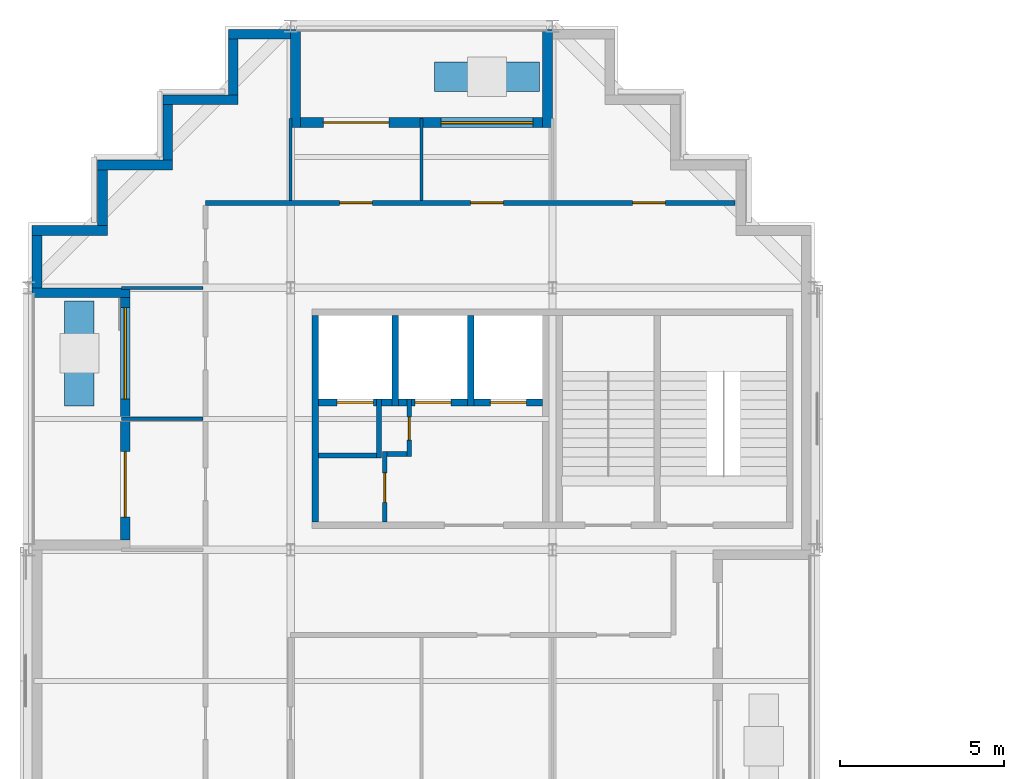
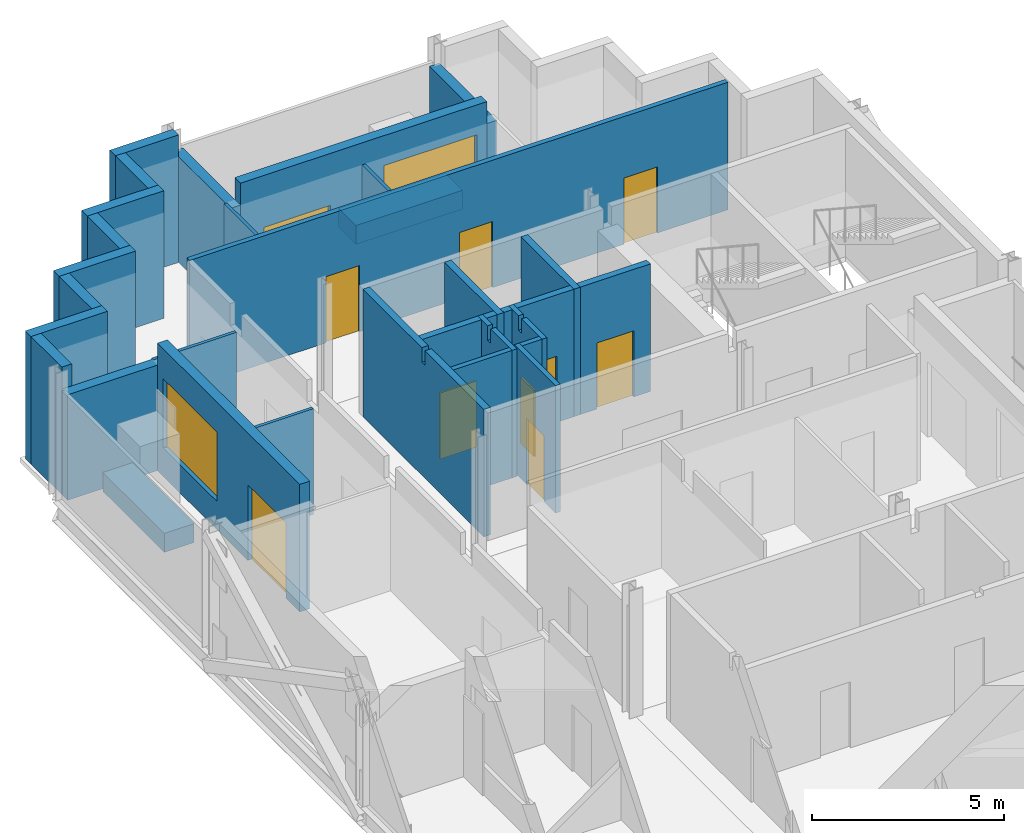
# One storey, part 8 of 13: 33 walls, 10 doors, 2 windows, 12 openings.
"""IFC4 building model written with IfcOpenShell, lengths in metres."""

from ifc_helpers import new_model, si_unit, direction, frame, frame_2d, origin, place, context, subcontext, project, spatial, polyline, rectangle, outline, extrude, material, layer, layer_set, type_object, element, fill, save


model = new_model("IFC4")

# Units and contexts
model_context = context("Model", 3, precision=1e-05, world=origin(), true_north=direction((0.0, 1.0)))
body_context = subcontext(model_context, "Body", "Model", "MODEL_VIEW")
ifc_project = project(units=[si_unit("LENGTHUNIT", "METRE"), si_unit("AREAUNIT", "SQUARE_METRE"), si_unit("VOLUMEUNIT", "CUBIC_METRE"), si_unit("PLANEANGLEUNIT", "RADIAN"), si_unit("MASSUNIT", "GRAM", prefix="KILO")], contexts=[model_context])

# Site, building, storey
site_placement = place(None, origin())
site = spatial("IfcSite", under=ifc_project, at=site_placement, CompositionType="ELEMENT")
building_placement = place(site_placement, origin())
building = spatial("IfcBuilding", under=site, at=building_placement, Name="Immortelle Media Tower", CompositionType="ELEMENT")
storey_placement = place(building_placement, frame((0.0, 0.0, 174.60009765625)))
storey = spatial("IfcBuildingStorey", under=building, at=storey_placement, Name="L36", CompositionType="ELEMENT", Elevation=174.60009765625)

# Walls
ifc_material_1 = material(Name="Fire-rated gypsum board", Category="gypsum")
ifc_layer_1 = layer(ifc_material_1, 0.02490234375)
ifc_material_2 = material(Name="Steel ASTM A653 SS Gr 50 stud frame with mineral wool", Category="steel")
ifc_layer_2 = layer(ifc_material_2, 0.10009765625)
ifc_layer_3 = layer(ifc_material_1, 0.02490234375)
ifc_layer_set_1 = layer_set([ifc_layer_1, ifc_layer_2, ifc_layer_3], Name="Steel ASTM A653 SS Gr 50 stud frame with mineral wool")
wall_type_1 = type_object("IfcWallType", Name="Core partition 150", PredefinedType="PARTITIONING", material=ifc_layer_set_1)
wall_1_placement = place(storey_placement, frame((8.85009765625, 34.875, 0.0), z_axis=(0.0, 0.0, 1.0), x_axis=(1.0, 0.0, 0.0)))
element("IfcWall", 1, at=wall_1_placement, inside=storey, type_object=wall_type_1, Name="Core partition NW", PredefinedType="PARTITIONING", context=body_context, shape_type="SweptSolid", body=[
    extrude(rectangle(XDim=1.77490234375, YDim=0.14990234375, at=frame_2d((0.887451171875, 0.0))), origin(), (0.0, 0.0, 1.0), 4.0498046875),
])
wall_2_placement = place(storey_placement, frame((10.699951171875, 34.800048828125, 0.0), z_axis=(0.0, 0.0, 1.0), x_axis=(0.0, 1.0, 0.0)))
element("IfcWall", 2, at=wall_2_placement, inside=storey, type_object=wall_type_1, Name="Core partition NW", PredefinedType="PARTITIONING", context=body_context, shape_type="SweptSolid", body=[
    extrude(outline(polyline([(0.0, 0.0), (1.800048828125, 0.0), (1.800048828125, 4.0498046875), (1.281494140625, 4.0498046875), (1.280517578125, 3.5888671875), (1.119384765625, 3.5888671875), (1.118408203125, 4.0498046875), (0.0, 4.0498046875), (0.0, 0.0)])), frame((0.0, 0.074951171875, 0.0), z_axis=(0.0, -1.0, 0.0), x_axis=(1.0, 0.0, 0.0)), (0.0, 0.0, 1.0), 0.14990234375),
])

# Wall, opening, door
wall_3_placement = place(storey_placement, frame((10.875, 32.85009765625, 0.0), z_axis=(0.0, 0.0, 1.0), x_axis=(0.0, 1.0, 0.0)))
wall_3 = element("IfcWall", 3, at=wall_3_placement, inside=storey, type_object=wall_type_1, Name="Core partition NW", PredefinedType="PARTITIONING", context=body_context, shape_type="SweptSolid", body=[
    extrude(rectangle(XDim=2.14990234375, YDim=0.14990234375, at=frame_2d((1.074951171875, 0.0))), origin(), (0.0, 0.0, 1.0), 4.0498046875),
])
opening_1_placement = place(wall_3_placement, frame((0.60009765625, 0.0, 0.0)))
opening_1 = element("IfcOpeningElement", 4, at=opening_1_placement, cuts=wall_3, Name="Opening C6-K023", PredefinedType="OPENING", context=body_context, shape_type="SweptSolid", body=[
    extrude(rectangle(XDim=0.89990234375, YDim=2.10009765625, at=frame_2d((0.449951171875, 1.050048828125))), frame((0.0, 0.0849609375, 0.0), z_axis=(0.0, -1.0, 0.0), x_axis=(1.0, 0.0, 0.0)), (0.0, 0.0, 1.0), 0.169921875),
])
ifc_material_3 = material(Name="Galvanised steel door leaf and frame ASTM A653", Category="steel")
door_type_1 = type_object("IfcDoorType", Name="Service door 900 x 2100", OperationType="NOTDEFINED", PredefinedType="NOTDEFINED", material=ifc_material_3)
door_1_placement = place(opening_1_placement, origin())
door_1 = element("IfcDoor", 5, at=door_1_placement, inside=storey, type_object=door_type_1, Name="Service C6-K023", OperationType="SINGLE_SWING_RIGHT", OverallHeight=2.10009765625, OverallWidth=0.89990234375, PredefinedType="NOTDEFINED", context=body_context, shape_type="SweptSolid", body=[
    extrude(rectangle(XDim=0.89990234375, YDim=2.10009765625, at=frame_2d((0.449951171875, 1.050048828125))), frame((0.0, 0.02490234375, 0.0), z_axis=(0.0, -1.0, 0.0), x_axis=(1.0, 0.0, 0.0)), (0.0, 0.0, 1.0), 0.050048828125),
])
fill(opening_1, door_1)

# Wall
wall_4_placement = place(storey_placement, frame((10.949951171875, 34.925048828125, 0.0), z_axis=(0.0, 0.0, 1.0), x_axis=(1.0, 0.0, 0.0)))
element("IfcWall", 6, at=wall_4_placement, inside=storey, type_object=wall_type_1, Name="Core partition NW", PredefinedType="PARTITIONING", context=body_context, shape_type="SweptSolid", body=[
    extrude(rectangle(XDim=0.60009765625, YDim=0.14990234375, at=frame_2d((0.300048828125, 0.0))), origin(), (0.0, 0.0, 1.0), 4.0498046875),
])

# Wall, opening, door
wall_5_placement = place(storey_placement, frame((11.625, 34.85009765625, 0.0), z_axis=(0.0, 0.0, 1.0), x_axis=(0.0, 1.0, 0.0)))
wall_5 = element("IfcWall", 7, at=wall_5_placement, inside=storey, type_object=wall_type_1, Name="Core partition NW", PredefinedType="PARTITIONING", context=body_context, shape_type="SweptSolid", body=[
    extrude(outline(polyline([(0.0, 0.0), (1.75, 0.0), (1.75, 4.0498046875), (1.2314453125, 4.0498046875), (1.23046875, 3.5888671875), (1.069580078125, 3.5888671875), (1.068603515625, 4.0498046875), (0.0, 4.0498046875), (0.0, 0.0)])), frame((0.0, 0.074951171875, 0.0), z_axis=(0.0, -1.0, 0.0), x_axis=(1.0, 0.0, 0.0)), (0.0, 0.0, 1.0), 0.14990234375),
])
opening_2_placement = place(wall_5_placement, frame((0.5, 0.0, 0.0)))
opening_2 = element("IfcOpeningElement", 8, at=opening_2_placement, cuts=wall_5, Name="Opening C6-K024", PredefinedType="OPENING", context=body_context, shape_type="SweptSolid", body=[
    extrude(rectangle(XDim=0.699951171875, YDim=2.10009765625, at=frame_2d((0.35009765625, 1.050048828125))), frame((0.0, 0.0849609375, 0.0), z_axis=(0.0, -1.0, 0.0), x_axis=(1.0, 0.0, 0.0)), (0.0, 0.0, 1.0), 0.169921875),
])
door_type_2 = type_object("IfcDoorType", Name="Service door 700 x 2100", OperationType="NOTDEFINED", PredefinedType="NOTDEFINED", material=ifc_material_3)
door_2_placement = place(opening_2_placement, origin())
door_2 = element("IfcDoor", 9, at=door_2_placement, inside=storey, type_object=door_type_2, Name="Service C6-K024", OperationType="SINGLE_SWING_LEFT", OverallHeight=2.10009765625, OverallWidth=0.699951171875, PredefinedType="NOTDEFINED", context=body_context, shape_type="SweptSolid", body=[
    extrude(rectangle(XDim=0.699951171875, YDim=2.10009765625, at=frame_2d((0.35009765625, 1.050048828125))), frame((0.0, 0.02490234375, 0.0), z_axis=(0.0, -1.0, 0.0), x_axis=(1.0, 0.0, 0.0)), (0.0, 0.0, 1.0), 0.050048828125),
])
fill(opening_2, door_2)

# Wall
ifc_layer_4 = layer(ifc_material_1, 0.03759765625)
ifc_layer_5 = layer(ifc_material_2, 0.125)
ifc_layer_6 = layer(ifc_material_1, 0.03759765625)
ifc_layer_set_2 = layer_set([ifc_layer_4, ifc_layer_5, ifc_layer_6], Name="Steel ASTM A653 SS Gr 50 stud frame with mineral wool")
wall_type_2 = type_object("IfcWallType", Name="Core shaft wall 200", PredefinedType="PARTITIONING", material=ifc_layer_set_2)
wall_6_placement = place(storey_placement, frame((8.75, 32.85009765625, 0.0), z_axis=(0.0, 0.0, 1.0), x_axis=(0.0, 1.0, 0.0)))
element("IfcWall", 10, at=wall_6_placement, inside=storey, type_object=wall_type_2, Name="Core shaft wall NW", PredefinedType="PARTITIONING", context=body_context, shape_type="SweptSolid", body=[
    extrude(outline(polyline([(0.0, 0.0), (6.2998046875, 0.0), (6.300048828125, 4.0498046875), (3.2314453125, 4.0498046875), (3.23046875, 3.5888671875), (3.069580078125, 3.5888671875), (3.068603515625, 4.0498046875), (0.0, 4.0498046875), (0.0, 0.0)])), frame((0.0, 0.10009765625, 0.0), z_axis=(0.0, -1.0, 0.0), x_axis=(1.0, 0.0, 0.0)), (0.0, 0.0, 1.0), 0.199951171875),
])

# Wall, opening, door
wall_7_placement = place(storey_placement, frame((8.85009765625, 36.5, 0.0), z_axis=(0.0, 0.0, 1.0), x_axis=(1.0, 0.0, 0.0)))
wall_7 = element("IfcWall", 11, at=wall_7_placement, inside=storey, type_object=wall_type_2, Name="Core shaft wall NW", PredefinedType="PARTITIONING", context=body_context, shape_type="SweptSolid", body=[
    extrude(rectangle(XDim=1.77490234375, YDim=0.199951171875, at=frame_2d((0.887451171875, 0.0))), origin(), (0.0, 0.0, 1.0), 4.0498046875),
])
opening_3_placement = place(wall_7_placement, frame((0.574951171875, 0.0, 0.0)))
opening_3 = element("IfcOpeningElement", 12, at=opening_3_placement, cuts=wall_7, Name="Opening LD", PredefinedType="OPENING", context=body_context, shape_type="SweptSolid", body=[
    extrude(rectangle(XDim=1.10009765625, YDim=2.10009765625, at=frame_2d((0.550048828125, 1.050048828125))), frame((0.0, 0.10986328125, 0.0), z_axis=(0.0, -1.0, 0.0), x_axis=(1.0, 0.0, 0.0)), (0.0, 0.0, 1.0), 0.219970703125),
])
ifc_material_4 = material(Name="Stainless steel AISI 304", Category="steel")
door_type_3 = type_object("IfcDoorType", Name="Landing door 1100 x 2100", OperationType="SLIDING_TO_LEFT", PredefinedType="NOTDEFINED", material=ifc_material_4)
door_3_placement = place(opening_3_placement, origin())
door_3 = element("IfcDoor", 13, at=door_3_placement, inside=storey, type_object=door_type_3, Name="Landing door MR1 L36", OperationType="SLIDING_TO_LEFT", OverallHeight=2.10009765625, OverallWidth=1.10009765625, PredefinedType="NOTDEFINED", context=body_context, shape_type="SweptSolid", body=[
    extrude(rectangle(XDim=1.10009765625, YDim=2.10009765625, at=frame_2d((0.550048828125, 1.050048828125))), frame((0.0, 0.02490234375, 0.0), z_axis=(0.0, -1.0, 0.0), x_axis=(1.0, 0.0, 0.0)), (0.0, 0.0, 1.0), 0.050048828125),
])
fill(opening_3, door_3)

# Walls
wall_8_placement = place(storey_placement, frame((10.77490234375, 36.5, 0.0), z_axis=(0.0, 0.0, 1.0), x_axis=(1.0, 0.0, 0.0)))
element("IfcWall", 14, at=wall_8_placement, inside=storey, type_object=wall_type_2, Name="Core shaft wall NW", PredefinedType="PARTITIONING", context=body_context, shape_type="SweptSolid", body=[
    extrude(rectangle(XDim=0.3251953125, YDim=0.199951171875, at=frame_2d((0.16259765625, 0.0))), origin(), (0.0, 0.0, 1.0), 4.0498046875),
])
wall_9_placement = place(storey_placement, frame((11.199951171875, 36.39990234375, 0.0), z_axis=(0.0, 0.0, 1.0), x_axis=(0.0, 1.0, 0.0)))
element("IfcWall", 15, at=wall_9_placement, inside=storey, type_object=wall_type_2, Name="Core shaft wall NW", PredefinedType="PARTITIONING", context=body_context, shape_type="SweptSolid", body=[
    extrude(rectangle(XDim=2.75, YDim=0.199951171875, at=frame_2d((1.375, 0.0))), origin(), (0.0, 0.0, 1.0), 4.0498046875),
])
wall_10_placement = place(storey_placement, frame((11.300048828125, 36.5, 0.0), z_axis=(0.0, 0.0, 1.0), x_axis=(1.0, 0.0, 0.0)))
element("IfcWall", 16, at=wall_10_placement, inside=storey, type_object=wall_type_2, Name="Core shaft wall NW", PredefinedType="PARTITIONING", context=body_context, shape_type="SweptSolid", body=[
    extrude(rectangle(XDim=0.25, YDim=0.199951171875, at=frame_2d((0.125, 0.0))), origin(), (0.0, 0.0, 1.0), 4.0498046875),
])

# Wall, opening, door
wall_11_placement = place(storey_placement, frame((11.699951171875, 36.5, 0.0), z_axis=(0.0, 0.0, 1.0), x_axis=(1.0, 0.0, 0.0)))
wall_11 = element("IfcWall", 17, at=wall_11_placement, inside=storey, type_object=wall_type_2, Name="Core shaft wall NW", PredefinedType="PARTITIONING", context=body_context, shape_type="SweptSolid", body=[
    extrude(rectangle(XDim=1.699951171875, YDim=0.199951171875, at=frame_2d((0.85009765625, 0.0))), origin(), (0.0, 0.0, 1.0), 4.0498046875),
])
opening_4_placement = place(wall_11_placement, frame((0.10009765625, 0.0, 0.0)))
opening_4 = element("IfcOpeningElement", 18, at=opening_4_placement, cuts=wall_11, Name="Opening LD", PredefinedType="OPENING", context=body_context, shape_type="SweptSolid", body=[
    extrude(rectangle(XDim=1.10009765625, YDim=2.10009765625, at=frame_2d((0.550048828125, 1.050048828125))), frame((0.0, 0.10986328125, 0.0), z_axis=(0.0, -1.0, 0.0), x_axis=(1.0, 0.0, 0.0)), (0.0, 0.0, 1.0), 0.219970703125),
])
door_4_placement = place(opening_4_placement, origin())
door_4 = element("IfcDoor", 19, at=door_4_placement, inside=storey, type_object=door_type_3, Name="Landing door MR2 L36", OperationType="SLIDING_TO_LEFT", OverallHeight=2.10009765625, OverallWidth=1.10009765625, PredefinedType="NOTDEFINED", context=body_context, shape_type="SweptSolid", body=[
    extrude(rectangle(XDim=1.10009765625, YDim=2.10009765625, at=frame_2d((0.550048828125, 1.050048828125))), frame((0.0, 0.02490234375, 0.0), z_axis=(0.0, -1.0, 0.0), x_axis=(1.0, 0.0, 0.0)), (0.0, 0.0, 1.0), 0.050048828125),
])
fill(opening_4, door_4)

# Wall
wall_12_placement = place(storey_placement, frame((13.5, 36.39990234375, 0.0), z_axis=(0.0, 0.0, 1.0), x_axis=(0.0, 1.0, 0.0)))
element("IfcWall", 20, at=wall_12_placement, inside=storey, type_object=wall_type_2, Name="Core shaft wall NW", PredefinedType="PARTITIONING", context=body_context, shape_type="SweptSolid", body=[
    extrude(rectangle(XDim=2.75, YDim=0.199951171875, at=frame_2d((1.375, 0.0))), origin(), (0.0, 0.0, 1.0), 4.0498046875),
])

# Wall, opening, door
wall_13_placement = place(storey_placement, frame((13.60009765625, 36.5, 0.0), z_axis=(0.0, 0.0, 1.0), x_axis=(1.0, 0.0, 0.0)))
wall_13 = element("IfcWall", 21, at=wall_13_placement, inside=storey, type_object=wall_type_2, Name="Core shaft wall NW", PredefinedType="PARTITIONING", context=body_context, shape_type="SweptSolid", body=[
    extrude(rectangle(XDim=2.099853515625, YDim=0.199951171875, at=frame_2d((1.0498046875, 0.0))), origin(), (0.0, 0.0, 1.0), 4.0498046875),
])
opening_5_placement = place(wall_13_placement, frame((0.5, 0.0, 0.0)))
opening_5 = element("IfcOpeningElement", 22, at=opening_5_placement, cuts=wall_13, Name="Opening LD", PredefinedType="OPENING", context=body_context, shape_type="SweptSolid", body=[
    extrude(rectangle(XDim=1.10009765625, YDim=2.10009765625, at=frame_2d((0.550048828125, 1.050048828125))), frame((0.0, 0.10986328125, 0.0), z_axis=(0.0, -1.0, 0.0), x_axis=(1.0, 0.0, 0.0)), (0.0, 0.0, 1.0), 0.219970703125),
])
door_5_placement = place(opening_5_placement, origin())
door_5 = element("IfcDoor", 23, at=door_5_placement, inside=storey, type_object=door_type_3, Name="Landing door MR3 L36", OperationType="SLIDING_TO_LEFT", OverallHeight=2.10009765625, OverallWidth=1.10009765625, PredefinedType="NOTDEFINED", context=body_context, shape_type="SweptSolid", body=[
    extrude(rectangle(XDim=1.10009765625, YDim=2.10009765625, at=frame_2d((0.550048828125, 1.050048828125))), frame((0.0, 0.02490234375, 0.0), z_axis=(0.0, -1.0, 0.0), x_axis=(1.0, 0.0, 0.0)), (0.0, 0.0, 1.0), 0.050048828125),
])
fill(opening_5, door_5)

# Wall, openings, doors
ifc_layer_7 = layer(ifc_material_1, 0.012451171875)
ifc_layer_8 = layer(ifc_material_2, 0.125)
ifc_layer_9 = layer(ifc_material_1, 0.012451171875)
ifc_layer_set_3 = layer_set([ifc_layer_7, ifc_layer_8, ifc_layer_9], Name="Steel ASTM A653 SS Gr 50 stud frame with mineral wool")
wall_type_3 = type_object("IfcWallType", Name="Corridor wall 150", PredefinedType="PARTITIONING", material=ifc_layer_set_3)
wall_14_placement = place(storey_placement, frame((5.39990234375, 42.60009765625, 0.0), z_axis=(0.0, 0.0, 1.0), x_axis=(1.0, 0.0, 0.0)))
wall_14 = element("IfcWall", 24, at=wall_14_placement, inside=storey, type_object=wall_type_3, Name="Partition L36-028", PredefinedType="PARTITIONING", context=body_context, shape_type="SweptSolid", body=[
    extrude(rectangle(XDim=16.170166015625, YDim=0.14990234375, at=frame_2d((8.0849609375, 0.0))), origin(), (0.0, 0.0, 1.0), 4.0498046875),
])
opening_6_placement = place(wall_14_placement, frame((4.10009765625, 0.0, 0.0)))
opening_6 = element("IfcOpeningElement", 25, at=opening_6_placement, cuts=wall_14, Name="Opening C6-F020", PredefinedType="OPENING", context=body_context, shape_type="SweptSolid", body=[
    extrude(rectangle(XDim=1.0, YDim=2.10009765625, at=frame_2d((0.5, 1.050048828125))), frame((0.0, 0.0849609375, 0.0), z_axis=(0.0, -1.0, 0.0), x_axis=(1.0, 0.0, 0.0)), (0.0, 0.0, 1.0), 0.169921875),
])
opening_7_placement = place(wall_14_placement, frame((8.10009765625, 0.0, 0.0)))
opening_7 = element("IfcOpeningElement", 26, at=opening_7_placement, cuts=wall_14, Name="Opening C6-F021", PredefinedType="OPENING", context=body_context, shape_type="SweptSolid", body=[
    extrude(rectangle(XDim=1.0, YDim=2.10009765625, at=frame_2d((0.5, 1.050048828125))), frame((0.0, 0.0849609375, 0.0), z_axis=(0.0, -1.0, 0.0), x_axis=(1.0, 0.0, 0.0)), (0.0, 0.0, 1.0), 0.169921875),
])
opening_8_placement = place(wall_14_placement, frame((13.050048828125, 0.0, 0.0)))
opening_8 = element("IfcOpeningElement", 27, at=opening_8_placement, cuts=wall_14, Name="Opening C6-F022", PredefinedType="OPENING", context=body_context, shape_type="SweptSolid", body=[
    extrude(rectangle(XDim=1.0, YDim=2.10009765625, at=frame_2d((0.5, 1.050048828125))), frame((0.0, 0.0849609375, 0.0), z_axis=(0.0, -1.0, 0.0), x_axis=(1.0, 0.0, 0.0)), (0.0, 0.0, 1.0), 0.169921875),
])
ifc_material_5 = material(Name="Timber veneered door leaf, galvanised steel frame ASTM A653", Category="steel")
door_type_4 = type_object("IfcDoorType", Name="Room door 1000 x 2100", OperationType="NOTDEFINED", PredefinedType="DOOR", material=ifc_material_5)
door_6_placement = place(opening_6_placement, origin())
door_6 = element("IfcDoor", 28, at=door_6_placement, inside=storey, type_object=door_type_4, Name="Door C6-F020", OperationType="SINGLE_SWING_RIGHT", OverallHeight=2.10009765625, OverallWidth=1.0, PredefinedType="DOOR", context=body_context, shape_type="SweptSolid", body=[
    extrude(rectangle(XDim=1.0, YDim=2.10009765625, at=frame_2d((0.5, 1.050048828125))), frame((0.0, 0.02490234375, 0.0), z_axis=(0.0, -1.0, 0.0), x_axis=(1.0, 0.0, 0.0)), (0.0, 0.0, 1.0), 0.050048828125),
])
fill(opening_6, door_6)
door_7_placement = place(opening_7_placement, origin())
door_7 = element("IfcDoor", 29, at=door_7_placement, inside=storey, type_object=door_type_4, Name="Door C6-F021", OperationType="SINGLE_SWING_LEFT", OverallHeight=2.10009765625, OverallWidth=1.0, PredefinedType="DOOR", context=body_context, shape_type="SweptSolid", body=[
    extrude(rectangle(XDim=1.0, YDim=2.10009765625, at=frame_2d((0.5, 1.050048828125))), frame((0.0, 0.02490234375, 0.0), z_axis=(0.0, -1.0, 0.0), x_axis=(1.0, 0.0, 0.0)), (0.0, 0.0, 1.0), 0.050048828125),
])
fill(opening_7, door_7)
door_8_placement = place(opening_8_placement, origin())
door_8 = element("IfcDoor", 30, at=door_8_placement, inside=storey, type_object=door_type_4, Name="Door C6-F022", OperationType="SINGLE_SWING_RIGHT", OverallHeight=2.10009765625, OverallWidth=1.0, PredefinedType="DOOR", context=body_context, shape_type="SweptSolid", body=[
    extrude(rectangle(XDim=1.0, YDim=2.10009765625, at=frame_2d((0.5, 1.050048828125))), frame((0.0, 0.02490234375, 0.0), z_axis=(0.0, -1.0, 0.0), x_axis=(1.0, 0.0, 0.0)), (0.0, 0.0, 1.0), 0.050048828125),
])
fill(opening_8, door_8)

# Wall, openings, door, window
ifc_material_6 = material(Name="Pale aluminium cladding panel", Category="aluminium")
ifc_layer_10 = layer(ifc_material_6, 0.030029296875)
ifc_layer_11 = layer(ifc_material_2, 0.257568359375)
ifc_material_7 = material(Name="Moisture-resistant gypsum board", Category="gypsum")
ifc_layer_12 = layer(ifc_material_7, 0.012451171875)
ifc_layer_set_4 = layer_set([ifc_layer_10, ifc_layer_11, ifc_layer_12], Name="Steel ASTM A653 SS Gr 50 stud frame with mineral wool")
wall_type_4 = type_object("IfcWallType", Name="Facade wall 300", PredefinedType="SOLIDWALL", material=ifc_layer_set_4)
wall_15_placement = place(storey_placement, frame((15.699951171875, 45.050048828125, 0.0), z_axis=(0.0, 0.0, 1.0), x_axis=(-1.0, 0.0, 0.0)))
wall_15 = element("IfcWall", 31, at=wall_15_placement, inside=storey, type_object=wall_type_4, Name="Loggia wall L36 N28", PredefinedType="SOLIDWALL", context=body_context, shape_type="SweptSolid", body=[
    extrude(rectangle(XDim=7.39990234375, YDim=0.300048828125, at=frame_2d((3.699951171875, 0.0))), origin(), (0.0, 0.0, 1.0), 4.0498046875),
])
opening_9_placement = place(wall_15_placement, frame((0.300048828125, 0.0, 0.89990234375)))
opening_9 = element("IfcOpeningElement", 32, at=opening_9_placement, cuts=wall_15, Name="Opening W1", PredefinedType="OPENING", context=body_context, shape_type="SweptSolid", body=[
    extrude(rectangle(XDim=2.800048828125, YDim=2.199951171875, at=frame_2d((1.39990234375, 1.10009765625))), frame((0.0, 0.159912109375, 0.0), z_axis=(0.0, -1.0, 0.0), x_axis=(1.0, 0.0, 0.0)), (0.0, 0.0, 1.0), 0.320068359375),
])
opening_10_placement = place(wall_15_placement, frame((4.699951171875, 0.0, 0.0)))
opening_10 = element("IfcOpeningElement", 33, at=opening_10_placement, cuts=wall_15, Name="Opening C6-E006", PredefinedType="OPENING", context=body_context, shape_type="SweptSolid", body=[
    extrude(rectangle(XDim=2.0, YDim=2.39990234375, at=frame_2d((1.0, 1.199951171875))), frame((0.0, 0.159912109375, 0.0), z_axis=(0.0, -1.0, 0.0), x_axis=(1.0, 0.0, 0.0)), (0.0, 0.0, 1.0), 0.320068359375),
])
ifc_material_8 = material(Name="Aluminium frame, glazed leaves", Category="aluminium")
door_type_5 = type_object("IfcDoorType", Name="Loggia door 2000 x 2400", OperationType="DOUBLE_DOOR_SINGLE_SWING", PredefinedType="DOOR", material=ifc_material_8)
door_9_placement = place(opening_10_placement, origin())
door_9 = element("IfcDoor", 34, at=door_9_placement, inside=storey, type_object=door_type_5, Name="Door C6-E006", OperationType="DOUBLE_DOOR_SINGLE_SWING", OverallHeight=2.39990234375, OverallWidth=2.0, PredefinedType="DOOR", context=body_context, shape_type="SweptSolid", body=[
    extrude(rectangle(XDim=2.0, YDim=2.39990234375, at=frame_2d((1.0, 1.199951171875))), frame((0.0, 0.02490234375, 0.0), z_axis=(0.0, -1.0, 0.0), x_axis=(1.0, 0.0, 0.0)), (0.0, 0.0, 1.0), 0.050048828125),
])
fill(opening_10, door_9)
ifc_material_9 = material(Name="Aluminium frame", Category="aluminium")
window_type = type_object("IfcWindowType", Name="Window 2800 x 2200", PartitioningType="SINGLE_PANEL", PredefinedType="WINDOW", material=ifc_material_9)
window_1_placement = place(opening_9_placement, origin())
window_1 = element("IfcWindow", 35, at=window_1_placement, inside=storey, type_object=window_type, Name="Window L36 L36-R28-B0", OverallHeight=2.199951171875, OverallWidth=2.800048828125, PartitioningType="SINGLE_PANEL", PredefinedType="WINDOW", context=body_context, shape_type="SweptSolid", body=[
    extrude(rectangle(XDim=2.800048828125, YDim=2.199951171875, at=frame_2d((1.39990234375, 1.10009765625))), frame((0.0, 0.030029296875, 0.0), z_axis=(0.0, -1.0, 0.0), x_axis=(1.0, 0.0, 0.0)), (0.0, 0.0, 1.0), 0.06005859375),
])
fill(opening_9, window_1)

# Walls
for number, where, z_axis, x_axis, name in (
    (36, (15.85009765625, 47.89990234375, 0.0), (0.0, 0.0, 1.0), (0.0, -1.0, 0.0), "Loggia cheek wall L36 N"),
    (37, (8.14990234375, 47.89990234375, 0.0), (0.0, 0.0, 1.0), (0.0, -1.0, 0.0), "Loggia cheek wall L36 N"),
):
    element("IfcWall", number, at=place(storey_placement, frame(where, z_axis=z_axis, x_axis=x_axis)), inside=storey, type_object=wall_type_4, Name=name, PredefinedType="SOLIDWALL", context=body_context, shape_type="SweptSolid", body=[
        extrude(rectangle(XDim=3.0, YDim=0.300048828125, at=frame_2d((1.5, 0.0))), origin(), (0.0, 0.0, 1.0), 3.352783203125),
    ])
wall_16_placement = place(storey_placement, frame((8.0, 47.75, 0.0), z_axis=(0.0, 0.0, 1.0), x_axis=(-1.0, 0.0, 0.0)))
element("IfcWall", 38, at=wall_16_placement, inside=storey, type_object=wall_type_4, Name="Facade wall L36 N28", PredefinedType="SOLIDWALL", context=body_context, shape_type="SweptSolid", body=[
    extrude(rectangle(XDim=1.89990234375, YDim=0.300048828125, at=frame_2d((0.949951171875, 0.0))), origin(), (0.0, 0.0, 1.0), 4.0498046875),
])
wall_17_placement = place(storey_placement, frame((6.25, 47.60009765625, 0.0), z_axis=(0.0, 0.0, 1.0), x_axis=(0.0, -1.0, 0.0)))
element("IfcWall", 39, at=wall_17_placement, inside=storey, type_object=wall_type_4, Name="Facade wall L36 W29", PredefinedType="SOLIDWALL", context=body_context, shape_type="SweptSolid", body=[
    extrude(rectangle(XDim=1.7001953125, YDim=0.300048828125, at=frame_2d((0.85009765625, 0.0))), origin(), (0.0, 0.0, 1.0), 4.0498046875),
])
wall_18_placement = place(storey_placement, frame((6.39990234375, 45.75, 0.0), z_axis=(0.0, 0.0, 1.0), x_axis=(-1.0, 0.0, 0.0)))
element("IfcWall", 40, at=wall_18_placement, inside=storey, type_object=wall_type_4, Name="Facade wall L36 N30", PredefinedType="SOLIDWALL", context=body_context, shape_type="SweptSolid", body=[
    extrude(rectangle(XDim=2.2998046875, YDim=0.300048828125, at=frame_2d((1.14990234375, 0.0))), origin(), (0.0, 0.0, 1.0), 4.0498046875),
])
wall_19_placement = place(storey_placement, frame((4.25, 45.60009765625, 0.0), z_axis=(0.0, 0.0, 1.0), x_axis=(0.0, -1.0, 0.0)))
element("IfcWall", 41, at=wall_19_placement, inside=storey, type_object=wall_type_4, Name="Facade wall L36 W31", PredefinedType="SOLIDWALL", context=body_context, shape_type="SweptSolid", body=[
    extrude(rectangle(XDim=1.7001953125, YDim=0.300048828125, at=frame_2d((0.85009765625, 0.0))), origin(), (0.0, 0.0, 1.0), 4.0498046875),
])
wall_20_placement = place(storey_placement, frame((4.39990234375, 43.75, 0.0), z_axis=(0.0, 0.0, 1.0), x_axis=(-1.0, 0.0, 0.0)))
element("IfcWall", 42, at=wall_20_placement, inside=storey, type_object=wall_type_4, Name="Facade wall L36 N32", PredefinedType="SOLIDWALL", context=body_context, shape_type="SweptSolid", body=[
    extrude(rectangle(XDim=2.2998046875, YDim=0.300048828125, at=frame_2d((1.14990234375, 0.0))), origin(), (0.0, 0.0, 1.0), 4.0498046875),
])
wall_21_placement = place(storey_placement, frame((2.25, 43.60009765625, 0.0), z_axis=(0.0, 0.0, 1.0), x_axis=(0.0, -1.0, 0.0)))
element("IfcWall", 43, at=wall_21_placement, inside=storey, type_object=wall_type_4, Name="Facade wall L36 W33", PredefinedType="SOLIDWALL", context=body_context, shape_type="SweptSolid", body=[
    extrude(rectangle(XDim=1.7001953125, YDim=0.300048828125, at=frame_2d((0.85009765625, 0.0))), origin(), (0.0, 0.0, 1.0), 4.0498046875),
])
wall_22_placement = place(storey_placement, frame((2.39990234375, 41.75, 0.0), z_axis=(0.0, 0.0, 1.0), x_axis=(-1.0, 0.0, 0.0)))
element("IfcWall", 44, at=wall_22_placement, inside=storey, type_object=wall_type_4, Name="Facade wall L36 N34", PredefinedType="SOLIDWALL", context=body_context, shape_type="SweptSolid", body=[
    extrude(rectangle(XDim=2.2998046875, YDim=0.300048828125, at=frame_2d((1.14990234375, 0.0))), origin(), (0.0, 0.0, 1.0), 4.0498046875),
])
wall_23_placement = place(storey_placement, frame((0.25, 41.60009765625, 0.0), z_axis=(0.0, 0.0, 1.0), x_axis=(0.0, -1.0, 0.0)))
element("IfcWall", 45, at=wall_23_placement, inside=storey, type_object=wall_type_4, Name="Facade wall L36 W35", PredefinedType="SOLIDWALL", context=body_context, shape_type="SweptSolid", body=[
    extrude(rectangle(XDim=1.60009765625, YDim=0.300048828125, at=frame_2d((0.800048828125, 0.0))), origin(), (0.0, 0.0, 1.0), 4.0498046875),
])

# Wall, openings, door, window
wall_24_placement = place(storey_placement, frame((2.949951171875, 39.699951171875, 0.0), z_axis=(0.0, 0.0, 1.0), x_axis=(0.0, -1.0, 0.0)))
wall_24 = element("IfcWall", 46, at=wall_24_placement, inside=storey, type_object=wall_type_4, Name="Loggia wall L36 W35", PredefinedType="SOLIDWALL", context=body_context, shape_type="SweptSolid", body=[
    extrude(rectangle(XDim=7.39990234375, YDim=0.300048828125, at=frame_2d((3.699951171875, 0.0))), origin(), (0.0, 0.0, 1.0), 4.0498046875),
])
opening_11_placement = place(wall_24_placement, frame((0.300048828125, 0.0, 0.89990234375)))
opening_11 = element("IfcOpeningElement", 47, at=opening_11_placement, cuts=wall_24, Name="Opening W1", PredefinedType="OPENING", context=body_context, shape_type="SweptSolid", body=[
    extrude(rectangle(XDim=2.800048828125, YDim=2.199951171875, at=frame_2d((1.39990234375, 1.10009765625))), frame((0.0, 0.159912109375, 0.0), z_axis=(0.0, -1.0, 0.0), x_axis=(1.0, 0.0, 0.0)), (0.0, 0.0, 1.0), 0.320068359375),
])
opening_12_placement = place(wall_24_placement, frame((4.699951171875, 0.0, 0.0)))
opening_12 = element("IfcOpeningElement", 48, at=opening_12_placement, cuts=wall_24, Name="Opening C6-E007", PredefinedType="OPENING", context=body_context, shape_type="SweptSolid", body=[
    extrude(rectangle(XDim=2.0, YDim=2.39990234375, at=frame_2d((1.0, 1.199951171875))), frame((0.0, 0.159912109375, 0.0), z_axis=(0.0, -1.0, 0.0), x_axis=(1.0, 0.0, 0.0)), (0.0, 0.0, 1.0), 0.320068359375),
])
door_10_placement = place(opening_12_placement, origin())
door_10 = element("IfcDoor", 49, at=door_10_placement, inside=storey, type_object=door_type_5, Name="Door C6-E007", OperationType="DOUBLE_DOOR_SINGLE_SWING", OverallHeight=2.39990234375, OverallWidth=2.0, PredefinedType="DOOR", context=body_context, shape_type="SweptSolid", body=[
    extrude(rectangle(XDim=2.0, YDim=2.39990234375, at=frame_2d((1.0, 1.199951171875))), frame((0.0, 0.02490234375, 0.0), z_axis=(0.0, -1.0, 0.0), x_axis=(1.0, 0.0, 0.0)), (0.0, 0.0, 1.0), 0.050048828125),
])
fill(opening_12, door_10)
window_2_placement = place(opening_11_placement, origin())
window_2 = element("IfcWindow", 50, at=window_2_placement, inside=storey, type_object=window_type, Name="Window L36 L36-R35-B0", OverallHeight=2.199951171875, OverallWidth=2.800048828125, PartitioningType="SINGLE_PANEL", PredefinedType="WINDOW", context=body_context, shape_type="SweptSolid", body=[
    extrude(rectangle(XDim=2.800048828125, YDim=2.199951171875, at=frame_2d((1.39990234375, 1.10009765625))), frame((0.0, 0.030029296875, 0.0), z_axis=(0.0, -1.0, 0.0), x_axis=(1.0, 0.0, 0.0)), (0.0, 0.0, 1.0), 0.06005859375),
])
fill(opening_11, window_2)

# Walls
wall_25_placement = place(storey_placement, frame((0.10009765625, 39.85009765625, 0.0), z_axis=(0.0, 0.0, 1.0), x_axis=(1.0, 0.0, 0.0)))
element("IfcWall", 51, at=wall_25_placement, inside=storey, type_object=wall_type_4, Name="Loggia cheek wall L36 W", PredefinedType="SOLIDWALL", context=body_context, shape_type="SweptSolid", body=[
    extrude(rectangle(XDim=3.0, YDim=0.300048828125, at=frame_2d((1.5, 0.0))), origin(), (0.0, 0.0, 1.0), 3.352783203125),
])
ifc_material_10 = material(Name="Gypsum board", Category="gypsum")
ifc_layer_13 = layer(ifc_material_10, 0.012451171875)
ifc_layer_14 = layer(ifc_material_2, 0.074951171875)
ifc_layer_15 = layer(ifc_material_10, 0.012451171875)
ifc_layer_set_5 = layer_set([ifc_layer_13, ifc_layer_14, ifc_layer_15], Name="Steel ASTM A653 SS Gr 50 stud frame with mineral wool")
wall_type_5 = type_object("IfcWallType", Name="Partition 100", PredefinedType="PARTITIONING", material=ifc_layer_set_5)
for number, where, z_axis, x_axis, name in (
    (52, (2.830078125, 36.0, 0.0), (0.0, 0.0, 1.0), (1.0, 0.0, 0.0), "Partition L36-026"),
    (53, (2.830078125, 40.0, 0.0), (0.0, 0.0, 1.0), (1.0, 0.0, 0.0), "Partition L36-027"),
    (54, (8.0, 42.675048828125, 0.0), (0.0, 0.0, 1.0), (0.0, 1.0, 0.0), "Partition L36-029"),
    (55, (12.0, 42.675048828125, 0.0), (0.0, 0.0, 1.0), (0.0, 1.0, 0.0), "Partition L36-030"),
):
    element("IfcWall", number, at=place(storey_placement, frame(where, z_axis=z_axis, x_axis=x_axis)), inside=storey, type_object=wall_type_5, Name=name, PredefinedType="PARTITIONING", context=body_context, shape_type="SweptSolid", body=[
        extrude(rectangle(XDim=2.494873046875, YDim=0.10009765625, at=frame_2d((1.24755859375, 0.0))), origin(), (0.0, 0.0, 1.0), 3.35400390625),
    ])
ifc_layer_16 = layer(ifc_material_6, 0.0029296875)
ifc_material_11 = material(Name="Steel ASTM A572 Gr 50 planter shell", Category="steel")
ifc_layer_17 = layer(ifc_material_11, 0.011962890625)
ifc_material_12 = material(Name="Planting substrate", Category="soil")
ifc_layer_18 = layer(ifc_material_12, 0.873046875)
ifc_layer_19 = layer(ifc_material_11, 0.011962890625)
ifc_layer_set_6 = layer_set([ifc_layer_16, ifc_layer_17, ifc_layer_18, ifc_layer_19], Name="Steel ASTM A572 Gr 50 planter shell")
wall_type_6 = type_object("IfcWallType", Name="Planter wall 900", PredefinedType="SOLIDWALL", material=ifc_layer_set_6)
for number, where, z_axis, x_axis, name in (
    (56, (15.60009765625, 46.449951171875, 0.0), (0.0, 0.0, 1.0), (-1.0, 0.0, 0.0), "Planter L36 N0"),
    (57, (1.550048828125, 39.60009765625, 0.0), (0.0, 0.0, 1.0), (0.0, -1.0, 0.0), "Planter L36 W0"),
):
    element("IfcWall", number, at=place(storey_placement, frame(where, z_axis=z_axis, x_axis=x_axis)), inside=storey, type_object=wall_type_6, Name=name, PredefinedType="SOLIDWALL", context=body_context, shape_type="SweptSolid", body=[
        extrude(rectangle(XDim=3.2001953125, YDim=0.89990234375, at=frame_2d((1.60009765625, 0.0))), origin(), (0.0, 0.0, 1.0), 0.599853515625),
    ])

save(model, "model.ifc")
